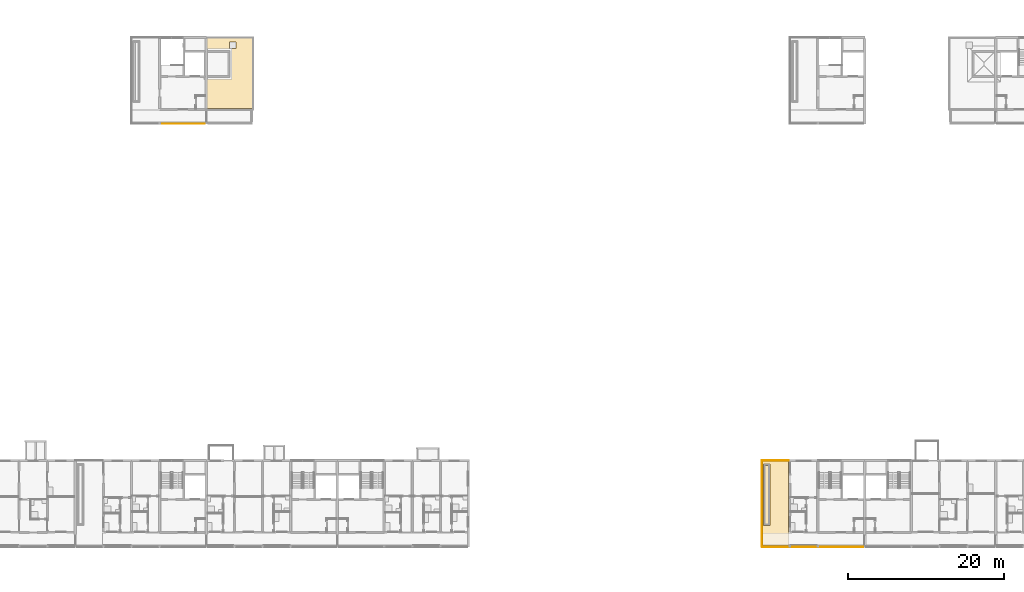
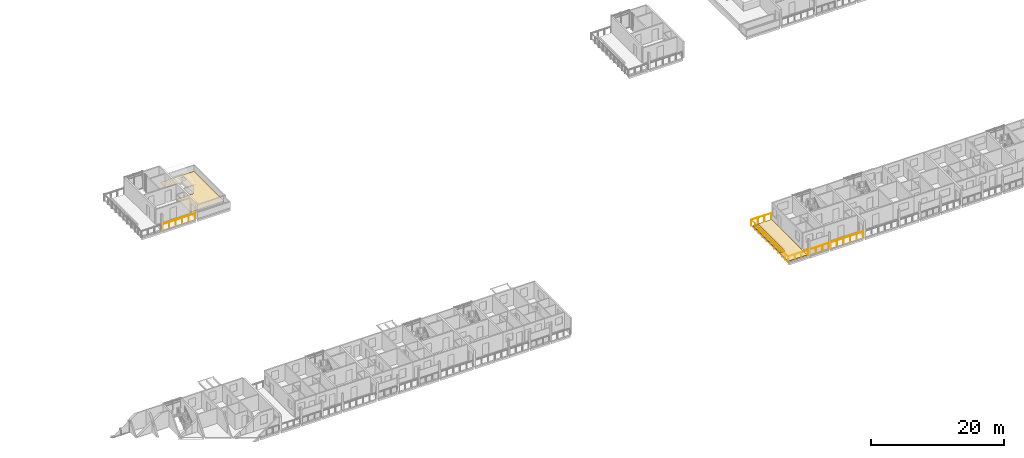
# One storey, part 68 of 78: 6 railings, 4 coverings.
"""IFC4 building model written with IfcOpenShell, lengths in metres."""

from ifc_helpers import new_model, si_unit, direction, frame, origin, origin_2d, place, context, subcontext, project, spatial, polyline, circle, outline, extrude, material, layer, layer_set, type_object, element, save


model = new_model("IFC4")

# Units and contexts
model_context = context("Model", 3, precision=1e-05, world=origin(), true_north=direction((0.0, 1.0)))
body_context = subcontext(model_context, "Body", "Model", "MODEL_VIEW")
ifc_project = project(units=[si_unit("LENGTHUNIT", "METRE"), si_unit("AREAUNIT", "SQUARE_METRE"), si_unit("VOLUMEUNIT", "CUBIC_METRE"), si_unit("PLANEANGLEUNIT", "RADIAN"), si_unit("MASSUNIT", "GRAM", prefix="KILO")], contexts=[model_context])

# Site, building, storey
site_placement = place(None, origin())
site = spatial("IfcSite", under=ifc_project, at=site_placement, CompositionType="ELEMENT")
building_placement = place(site_placement, origin())
building = spatial("IfcBuilding", under=site, at=building_placement, Name="Ridgestep Commons", CompositionType="ELEMENT")
storey_placement = place(building_placement, frame((0.0, 0.0, 30.0)))
storey = spatial("IfcBuildingStorey", under=building, at=storey_placement, Name="L10", CompositionType="ELEMENT", Elevation=30.0)

# Railings
ifc_material_1 = material(Name="Structural steel S355JR", Category="steel")
railing_type = type_object("IfcRailingType", Name="Guard 1100", PredefinedType="GUARDRAIL", material=ifc_material_1)
railing_1_placement = place(storey_placement, frame((150.4208984375, 13.571044921875, 0.0)))
element("IfcRailing", 1, at=railing_1_placement, inside=storey, type_object=railing_type, Name="Guard TD-D1R2-GD", PredefinedType="GUARDRAIL", context=body_context, shape_type="SweptSolid", body=[
    extrude(circle(Radius=0.02392578125, at=origin_2d()), frame((0.0, 0.0, 1.076171875), z_axis=(0.0, 1.0, 0.0), x_axis=(-1.0, 0.0, 0.0)), (0.0, 0.0, 1.0), 9.303955078125),
    extrude(circle(Radius=0.02392578125, at=origin_2d()), frame((0.0, 9.303955078125, 1.076171875), z_axis=(1.0, 0.0, 0.0), x_axis=(0.0, 1.0, 0.0)), (0.0, 0.0, 1.0), 3.4580078125),
    extrude(circle(Radius=0.02099609375, at=origin_2d()), origin(), (0.0, 0.0, 1.0), 1.052001953125),
    extrude(circle(Radius=0.02099609375, at=origin_2d()), frame((0.0, 1.1630859375, 0.0)), (0.0, 0.0, 1.0), 1.052001953125),
    extrude(circle(Radius=0.02099609375, at=origin_2d()), frame((0.0, 2.325927734375, 0.0)), (0.0, 0.0, 1.0), 1.052001953125),
    extrude(circle(Radius=0.02099609375, at=origin_2d()), frame((0.0, 3.489013671875, 0.0)), (0.0, 0.0, 1.0), 1.052001953125),
    extrude(circle(Radius=0.02099609375, at=origin_2d()), frame((0.0, 4.65185546875, 0.0)), (0.0, 0.0, 1.0), 1.052001953125),
    extrude(circle(Radius=0.02099609375, at=origin_2d()), frame((0.0, 5.81494140625, 0.0)), (0.0, 0.0, 1.0), 1.052001953125),
    extrude(circle(Radius=0.02099609375, at=origin_2d()), frame((0.0, 6.97802734375, 0.0)), (0.0, 0.0, 1.0), 1.052001953125),
    extrude(circle(Radius=0.02099609375, at=origin_2d()), frame((0.0, 8.140869140625, 0.0)), (0.0, 0.0, 1.0), 1.052001953125),
    extrude(circle(Radius=0.02099609375, at=origin_2d()), frame((0.0, 9.303955078125, 0.0)), (0.0, 0.0, 1.0), 1.052001953125),
    extrude(circle(Radius=0.02099609375, at=origin_2d()), frame((1.152587890625, 9.303955078125, 0.0)), (0.0, 0.0, 1.0), 1.052001953125),
    extrude(circle(Radius=0.02099609375, at=origin_2d()), frame((2.305419921875, 9.303955078125, 0.0)), (0.0, 0.0, 1.0), 1.052001953125),
    extrude(circle(Radius=0.02099609375, at=origin_2d()), frame((3.4580078125, 9.303955078125, 0.0)), (0.0, 0.0, 1.0), 1.052001953125),
])
railing_2_placement = place(storey_placement, frame((150.48388671875, 11.800048828125, 0.0)))
element("IfcRailing", 2, at=railing_2_placement, inside=storey, type_object=railing_type, Name="Gallery guard D 10.1", PredefinedType="GUARDRAIL", context=body_context, shape_type="SweptSolid", body=[
    extrude(circle(Radius=0.02392578125, at=origin_2d()), frame((0.0, 0.0, 1.076171875), z_axis=(1.0, 0.0, 0.0), x_axis=(0.0, 1.0, 0.0)), (0.0, 0.0, 1.0), 3.3701171875),
    extrude(circle(Radius=0.02099609375, at=origin_2d()), origin(), (0.0, 0.0, 1.0), 1.052001953125),
    extrude(circle(Radius=0.02099609375, at=origin_2d()), frame((1.123291015625, 0.0, 0.0)), (0.0, 0.0, 1.0), 1.052001953125),
    extrude(circle(Radius=0.02099609375, at=origin_2d()), frame((2.246826171875, 0.0, 0.0)), (0.0, 0.0, 1.0), 1.052001953125),
    extrude(circle(Radius=0.02099609375, at=origin_2d()), frame((3.3701171875, 0.0, 0.0)), (0.0, 0.0, 1.0), 1.052001953125),
])
railing_3_placement = place(storey_placement, frame((150.4208984375, 11.800048828125, 0.0)))
element("IfcRailing", 3, at=railing_3_placement, inside=storey, type_object=railing_type, Name="Gallery end guard D 10.1W", PredefinedType="GUARDRAIL", context=body_context, shape_type="SweptSolid", body=[
    extrude(circle(Radius=0.02392578125, at=origin_2d()), frame((0.0, 0.0, 1.076171875), z_axis=(0.0, 1.0, 0.0), x_axis=(-1.0, 0.0, 0.0)), (0.0, 0.0, 1.0), 1.72900390625),
    extrude(circle(Radius=0.02099609375, at=origin_2d()), origin(), (0.0, 0.0, 1.0), 1.052001953125),
    extrude(circle(Radius=0.02099609375, at=origin_2d()), frame((0.0, 0.864501953125, 0.0)), (0.0, 0.0, 1.0), 1.052001953125),
    extrude(circle(Radius=0.02099609375, at=origin_2d()), frame((0.0, 1.72900390625, 0.0)), (0.0, 0.0, 1.0), 1.052001953125),
])
railing_4_placement = place(storey_placement, frame((154.14599609375, 11.800048828125, 0.0)))
element("IfcRailing", 4, at=railing_4_placement, inside=storey, type_object=railing_type, Name="Gallery guard D 10.2", PredefinedType="GUARDRAIL", context=body_context, shape_type="SweptSolid", body=[
    extrude(circle(Radius=0.02392578125, at=origin_2d()), frame((0.0, 0.0, 1.076171875), z_axis=(1.0, 0.0, 0.0), x_axis=(0.0, 1.0, 0.0)), (0.0, 0.0, 1.0), 3.30810546875),
    extrude(circle(Radius=0.02099609375, at=origin_2d()), origin(), (0.0, 0.0, 1.0), 1.052001953125),
    extrude(circle(Radius=0.02099609375, at=origin_2d()), frame((1.102783203125, 0.0, 0.0)), (0.0, 0.0, 1.0), 1.052001953125),
    extrude(circle(Radius=0.02099609375, at=origin_2d()), frame((2.205322265625, 0.0, 0.0)), (0.0, 0.0, 1.0), 1.052001953125),
    extrude(circle(Radius=0.02099609375, at=origin_2d()), frame((3.30810546875, 0.0, 0.0)), (0.0, 0.0, 1.0), 1.052001953125),
])
railing_5_placement = place(storey_placement, frame((157.74609375, 11.800048828125, 0.0)))
element("IfcRailing", 5, at=railing_5_placement, inside=storey, type_object=railing_type, Name="Gallery guard D 10.3", PredefinedType="GUARDRAIL", context=body_context, shape_type="SweptSolid", body=[
    extrude(circle(Radius=0.02392578125, at=origin_2d()), frame((0.0, 0.0, 1.076171875), z_axis=(1.0, 0.0, 0.0), x_axis=(0.0, 1.0, 0.0)), (0.0, 0.0, 1.0), 5.682861328125),
    extrude(circle(Radius=0.02099609375, at=origin_2d()), origin(), (0.0, 0.0, 1.0), 1.052001953125),
    extrude(circle(Radius=0.02099609375, at=origin_2d()), frame((1.136474609375, 0.0, 0.0)), (0.0, 0.0, 1.0), 1.052001953125),
    extrude(circle(Radius=0.02099609375, at=origin_2d()), frame((2.273193359375, 0.0, 0.0)), (0.0, 0.0, 1.0), 1.052001953125),
    extrude(circle(Radius=0.02099609375, at=origin_2d()), frame((3.40966796875, 0.0, 0.0)), (0.0, 0.0, 1.0), 1.052001953125),
    extrude(circle(Radius=0.02099609375, at=origin_2d()), frame((4.54638671875, 0.0, 0.0)), (0.0, 0.0, 1.0), 1.052001953125),
    extrude(circle(Radius=0.02099609375, at=origin_2d()), frame((5.682861328125, 0.0, 0.0)), (0.0, 0.0, 1.0), 1.052001953125),
])
railing_6_placement = place(storey_placement, frame((73.345947265625, 66.050048828125, 0.0)))
element("IfcRailing", 6, at=railing_6_placement, inside=storey, type_object=railing_type, Name="Gallery guard B 10.2", PredefinedType="GUARDRAIL", context=body_context, shape_type="SweptSolid", body=[
    extrude(circle(Radius=0.02392578125, at=origin_2d()), frame((0.0, 0.0, 1.076171875), z_axis=(1.0, 0.0, 0.0), x_axis=(0.0, 1.0, 0.0)), (0.0, 0.0, 1.0), 5.64306640625),
    extrude(circle(Radius=0.02099609375, at=origin_2d()), origin(), (0.0, 0.0, 1.0), 1.052001953125),
    extrude(circle(Radius=0.02099609375, at=origin_2d()), frame((1.128662109375, 0.0, 0.0)), (0.0, 0.0, 1.0), 1.052001953125),
    extrude(circle(Radius=0.02099609375, at=origin_2d()), frame((2.25732421875, 0.0, 0.0)), (0.0, 0.0, 1.0), 1.052001953125),
    extrude(circle(Radius=0.02099609375, at=origin_2d()), frame((3.3857421875, 0.0, 0.0)), (0.0, 0.0, 1.0), 1.052001953125),
    extrude(circle(Radius=0.02099609375, at=origin_2d()), frame((4.514404296875, 0.0, 0.0)), (0.0, 0.0, 1.0), 1.052001953125),
    extrude(circle(Radius=0.02099609375, at=origin_2d()), frame((5.64306640625, 0.0, 0.0)), (0.0, 0.0, 1.0), 1.052001953125),
])

# Coverings
ifc_material_2 = material(Name="Planting soil")
ifc_layer_1 = layer(ifc_material_2, 0.35009765625)
ifc_layer_set_1 = layer_set([ifc_layer_1], Name="Planting soil 350")
covering_type_1 = type_object("IfcCoveringType", Name="Planting soil 350", PredefinedType="FLOORING", material=ifc_layer_set_1)
covering_1_placement = place(storey_placement, frame((0.0, 0.0, 0.010009765625)))
element("IfcCovering", 7, at=covering_1_placement, inside=storey, type_object=covering_type_1, Name="Planting soil D1R2", PredefinedType="FLOORING", context=body_context, shape_type="SweptSolid", body=[
    extrude(outline(polyline([(150.85009765625, 14.75), (151.25, 14.75), (151.25, 22.25), (150.85009765625, 22.25), (150.85009765625, 14.75)])), origin(), (0.0, 0.0, 1.0), 0.35009765625),
])
ifc_material_3 = material(Name="Bitumen membrane, two layer")
ifc_layer_2 = layer(ifc_material_3, 0.011962890625)
ifc_layer_set_2 = layer_set([ifc_layer_2], Name="Roof membrane 12")
covering_type_2 = type_object("IfcCoveringType", Name="Roof membrane 12", PredefinedType="ROOFING", material=ifc_layer_set_2)
covering_2_placement = place(storey_placement, origin())
element("IfcCovering", 8, at=covering_2_placement, inside=storey, type_object=covering_type_2, Name="Roof membrane B5C", PredefinedType="ROOFING", context=body_context, shape_type="SweptSolid", body=[
    extrude(outline(polyline([(85.10009765625, 77.02490234375), (85.10009765625, 68.0), (79.300048828125, 68.0), (79.300048828125, 72.0), (82.175048828125, 72.0), (82.175048828125, 75.39990234375), (79.300048828125, 75.39990234375), (79.300048828125, 77.02490234375), (85.10009765625, 77.02490234375)]), holes=[polyline([(82.97509765625, 76.5), (82.175048828125, 76.5), (82.175048828125, 75.699951171875), (82.97509765625, 75.699951171875), (82.97509765625, 76.5)])]), origin(), (0.0, 0.0, 1.0), 0.011962890625),
])
ifc_material_4 = material(Name="Bitumen membrane, two layer")
ifc_layer_3 = layer(ifc_material_4, 0.010009765625)
ifc_layer_set_3 = layer_set([ifc_layer_3], Name="Terrace membrane 10")
covering_type_3 = type_object("IfcCoveringType", Name="Terrace membrane 10", PredefinedType="ROOFING", material=ifc_layer_set_3)
covering_3_placement = place(storey_placement, origin())
element("IfcCovering", 9, at=covering_3_placement, inside=storey, type_object=covering_type_3, Name="Terrace membrane D1R2", PredefinedType="ROOFING", context=body_context, shape_type="SweptSolid", body=[
    extrude(outline(polyline([(153.85009765625, 12.0), (153.85009765625, 22.75), (150.52490234375, 22.75), (150.52490234375, 12.0), (153.85009765625, 12.0)]), holes=[polyline([(151.449951171875, 14.550048828125), (151.449951171875, 22.449951171875), (150.64990234375, 22.449951171875), (150.64990234375, 14.550048828125), (151.449951171875, 14.550048828125)])]), origin(), (0.0, 0.0, 1.0), 0.010009765625),
])
ifc_material_5 = material(Name="Concrete paving slab", Category="concrete")
ifc_layer_4 = layer(ifc_material_5, 0.030029296875)
ifc_layer_set_4 = layer_set([ifc_layer_4], Name="Terrace paving 30")
covering_type_4 = type_object("IfcCoveringType", Name="Terrace paving 30", PredefinedType="FLOORING", material=ifc_layer_set_4)
covering_4_placement = place(storey_placement, frame((0.0, 0.0, 0.010009765625)))
element("IfcCovering", 10, at=covering_4_placement, inside=storey, type_object=covering_type_4, Name="Terrace paving D1R2", PredefinedType="FLOORING", context=body_context, shape_type="SweptSolid", body=[
    extrude(outline(polyline([(153.85009765625, 12.0), (153.85009765625, 22.75), (150.52490234375, 22.75), (150.52490234375, 12.0), (153.85009765625, 12.0)]), holes=[polyline([(151.449951171875, 14.550048828125), (151.449951171875, 22.449951171875), (150.64990234375, 22.449951171875), (150.64990234375, 14.550048828125), (151.449951171875, 14.550048828125)])]), origin(), (0.0, 0.0, 1.0), 0.030029296875),
])

save(model, "model.ifc")
